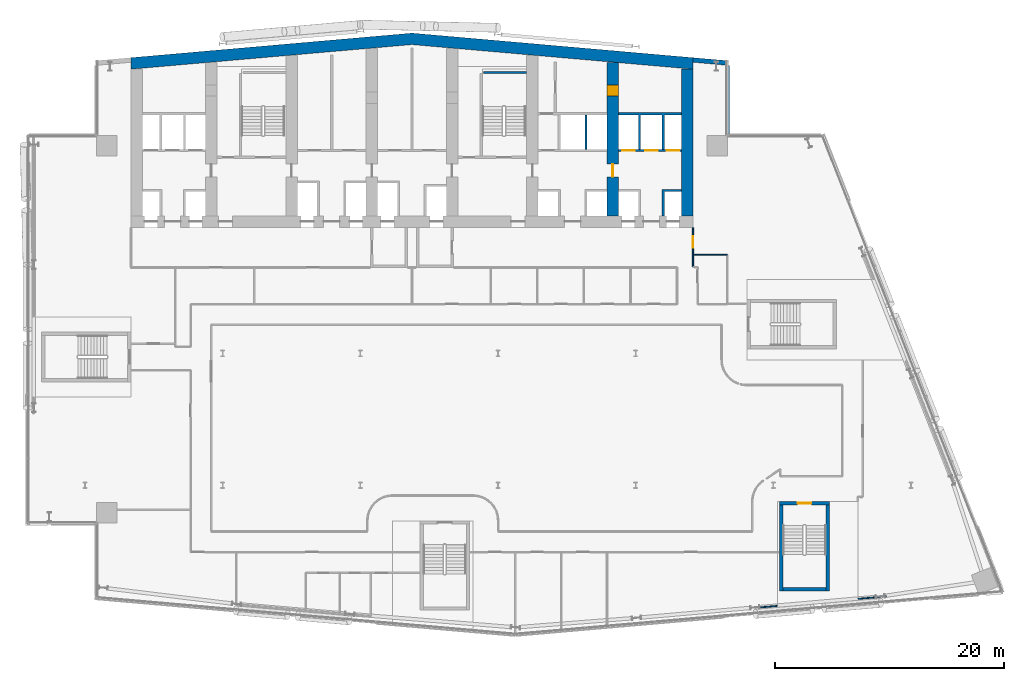
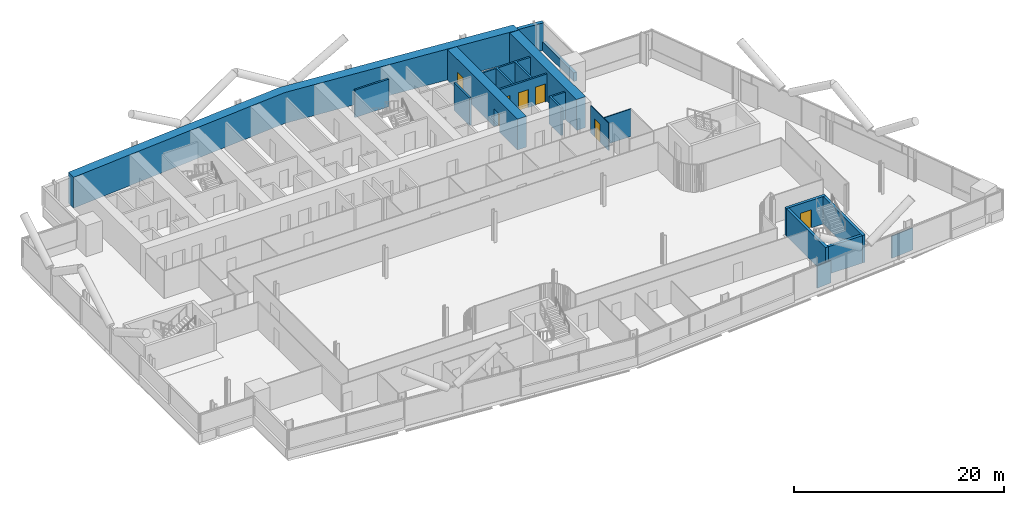
# One storey, part 22 of 31: 18 walls, 7 doors, 7 openings.
"""IFC4 building model written with IfcOpenShell, lengths in metres."""

from ifc_helpers import new_model, si_unit, direction, frame, frame_2d, origin, place, context, subcontext, project, spatial, polyline, rectangle, outline, extrude, material, layer, layer_set, type_object, element, fill, save


model = new_model("IFC4")

# Units and contexts
model_context = context("Model", 3, precision=1e-05, world=origin(), true_north=direction((0.0, 1.0)))
body_context = subcontext(model_context, "Body", "Model", "MODEL_VIEW")
ifc_project = project(units=[si_unit("LENGTHUNIT", "METRE"), si_unit("AREAUNIT", "SQUARE_METRE"), si_unit("VOLUMEUNIT", "CUBIC_METRE"), si_unit("PLANEANGLEUNIT", "RADIAN"), si_unit("MASSUNIT", "GRAM", prefix="KILO")], contexts=[model_context])

# Site, building, storey
site_placement = place(None, origin())
site = spatial("IfcSite", under=ifc_project, at=site_placement, CompositionType="ELEMENT")
building_placement = place(site_placement, origin())
building = spatial("IfcBuilding", under=site, at=building_placement, Name="Wharfspan Tower", CompositionType="ELEMENT")
storey_placement = place(building_placement, frame((0.0, 0.0, 103.899902)))
storey = spatial("IfcBuildingStorey", under=building, at=storey_placement, Name="L23", CompositionType="ELEMENT", Elevation=103.899902)

# Wall, opening, door
ifc_material_1 = material(Name="Gypsum board on steel studs", Category="steel")
ifc_layer_1 = layer(ifc_material_1, 0.100098)
ifc_layer_set_1 = layer_set([ifc_layer_1], Name="Gypsum board on steel studs")
wall_type_1 = type_object("IfcWallType", Name="Compartment wall 100 EI 60", PredefinedType="PARTITIONING", material=ifc_layer_set_1)
wall_1_placement = place(storey_placement, frame((65.0, 30.560059, 0.0), z_axis=(0.0, 0.0, 1.0), x_axis=(0.0, 1.0, 0.0)))
wall_1 = element("IfcWall", 1, at=wall_1_placement, inside=storey, type_object=wall_type_1, Name="Partition L23.w076", PredefinedType="PARTITIONING", context=body_context, shape_type="SweptSolid", body=[
    extrude(rectangle(XDim=3.419922, YDim=0.100098, at=frame_2d((1.709961, 0.0))), origin(), (0.0, 0.0, 1.0), 3.200195),
])
opening_1_placement = place(wall_1_placement, frame((1.659912, 0.0, 0.0)))
opening_1 = element("IfcOpeningElement", 2, at=opening_1_placement, cuts=wall_1, Name="Opening B2-22", PredefinedType="OPENING", context=body_context, shape_type="SweptSolid", body=[
    extrude(rectangle(XDim=1.0, YDim=2.100098, at=frame_2d((0.5, 1.050049))), frame((0.0, 0.060059, 0.0), z_axis=(0.0, -1.0, 0.0), x_axis=(1.0, 0.0, 0.0)), (0.0, 0.0, 1.0), 0.120117),
])
ifc_material_2 = material(Name="Fire-rated timber door leaf in steel frame", Category="steel")
door_type_1 = type_object("IfcDoorType", Name="Door 1000 FD30S Right", OperationType="SINGLE_SWING_RIGHT", PredefinedType="DOOR", material=ifc_material_2)
door_1_placement = place(opening_1_placement, origin())
door_1 = element("IfcDoor", 3, at=door_1_placement, inside=storey, type_object=door_type_1, Name="Door B2-22", OperationType="SINGLE_SWING_RIGHT", OverallHeight=2.100098, OverallWidth=1.0, PredefinedType="DOOR", context=body_context, shape_type="SweptSolid", body=[
    extrude(rectangle(XDim=1.0, YDim=2.100098, at=frame_2d((0.5, 1.050049))), frame((0.0, 0.024902, 0.0), z_axis=(0.0, -1.0, 0.0), x_axis=(1.0, 0.0, 0.0)), (0.0, 0.0, 1.0), 0.050049),
])
fill(opening_1, door_1)

# Walls
wall_2_placement = place(storey_placement, frame((65.0, 31.600098, 0.0), z_axis=(0.0, 0.0, 1.0), x_axis=(1.0, 0.0, 0.0)))
element("IfcWall", 4, at=wall_2_placement, inside=storey, type_object=wall_type_1, Name="Partition L23.w077", PredefinedType="PARTITIONING", context=body_context, shape_type="SweptSolid", body=[
    extrude(rectangle(XDim=3.0, YDim=0.100098, at=frame_2d((1.5, 0.0))), origin(), (0.0, 0.0, 1.0), 3.200195),
])
ifc_material_3 = material(Name="Concrete C70/85", Category="concrete")
ifc_layer_2 = layer(ifc_material_3, 1.0)
ifc_layer_set_2 = layer_set([ifc_layer_2], Name="Concrete C70/85")
wall_type_2 = type_object("IfcWallType", Name="Core wall 1000 C70/85", PredefinedType="SHEAR", material=ifc_layer_set_2)
wall_3_placement = place(storey_placement, origin())
element("IfcWall", 5, at=wall_3_placement, inside=storey, type_object=wall_type_2, Name="Core rear wall L23", PredefinedType="SHEAR", context=body_context, shape_type="SweptSolid", body=[
    extrude(outline(polyline([(16.0, 47.783691), (40.5, 49.927002), (65.0, 47.783691), (65.0, 48.787354), (40.5, 50.930908), (16.0, 48.787354), (16.0, 47.783691)])), origin(), (0.0, 0.0, 1.0), 3.600098),
])

# Wall, openings, doors
wall_4_placement = place(storey_placement, frame((58.0, 35.0, 0.0), z_axis=(0.0, 0.0, 1.0), x_axis=(0.0, 1.0, 0.0)))
wall_4 = element("IfcWall", 6, at=wall_4_placement, inside=storey, type_object=wall_type_2, Name="Core cross wall X7 L23", PredefinedType="SHEAR", context=body_context, shape_type="SweptSolid", body=[
    extrude(rectangle(XDim=13.352295, YDim=1.0, at=frame_2d((6.67627, 0.0))), origin(), (0.0, 0.0, 1.0), 3.600098),
])
opening_2_placement = place(wall_4_placement, frame((10.425537, 0.0, 0.0)))
opening_2 = element("IfcOpeningElement", 7, at=opening_2_placement, cuts=wall_4, Name="Opening CD23.7X", PredefinedType="OPENING", context=body_context, shape_type="SweptSolid", body=[
    extrude(rectangle(XDim=1.0, YDim=2.100098, at=frame_2d((0.5, 1.050049))), frame((0.0, 0.51001, 0.0), z_axis=(0.0, -1.0, 0.0), x_axis=(1.0, 0.0, 0.0)), (0.0, 0.0, 1.0), 1.02002),
])
opening_3_placement = place(wall_4_placement, frame((3.399902, 0.0, 0.0)))
opening_3 = element("IfcOpeningElement", 8, at=opening_3_placement, cuts=wall_4, Name="Opening CC23.7", PredefinedType="OPENING", context=body_context, shape_type="SweptSolid", body=[
    extrude(rectangle(XDim=1.100098, YDim=2.100098, at=frame_2d((0.550049, 1.050049))), frame((0.0, 0.51001, 0.0), z_axis=(0.0, -1.0, 0.0), x_axis=(1.0, 0.0, 0.0)), (0.0, 0.0, 1.0), 1.02002),
])
ifc_material_4 = material(Name="Steel door leaf", Category="steel")
door_type_2 = type_object("IfcDoorType", Name="Core corridor door 1100x2100", OperationType="SINGLE_SWING_LEFT", PredefinedType="DOOR", material=ifc_material_4)
door_2_placement = place(opening_3_placement, origin())
door_2 = element("IfcDoor", 9, at=door_2_placement, inside=storey, type_object=door_type_2, Name="xd:L23:7", OperationType="SINGLE_SWING_LEFT", OverallHeight=2.100098, OverallWidth=1.100098, PredefinedType="DOOR", context=body_context, shape_type="SweptSolid", body=[
    extrude(rectangle(XDim=1.100098, YDim=2.100098, at=frame_2d((0.550049, 1.050049))), frame((0.0, 0.024902, 0.0), z_axis=(0.0, -1.0, 0.0), x_axis=(1.0, 0.0, 0.0)), (0.0, 0.0, 1.0), 0.050049),
])
fill(opening_3, door_2)
door_type_3 = type_object("IfcDoorType", Name="Core room door 1000x2100", OperationType="SINGLE_SWING_LEFT", PredefinedType="DOOR", material=ifc_material_4)
door_3_placement = place(opening_2_placement, origin())
door_3 = element("IfcDoor", 10, at=door_3_placement, inside=storey, type_object=door_type_3, Name="d:L23:7:sx", OperationType="SINGLE_SWING_LEFT", OverallHeight=2.100098, OverallWidth=1.0, PredefinedType="DOOR", context=body_context, shape_type="SweptSolid", body=[
    extrude(rectangle(XDim=1.0, YDim=2.100098, at=frame_2d((0.5, 1.050049))), frame((0.0, 0.499756, 0.0), z_axis=(0.0, -1.0, 0.0), x_axis=(1.0, 0.0, 0.0)), (0.0, 0.0, 1.0), 0.999512),
])
fill(opening_2, door_3)

# Walls
wall_5_placement = place(storey_placement, frame((64.5, 35.0, 0.0), z_axis=(0.0, 0.0, 1.0), x_axis=(0.0, 1.0, 0.0)))
element("IfcWall", 11, at=wall_5_placement, inside=storey, type_object=wall_type_2, Name="Core cross wall EW1 L23", PredefinedType="SHEAR", context=body_context, shape_type="SweptSolid", body=[
    extrude(rectangle(XDim=12.783691, YDim=1.0, at=frame_2d((6.391846, 0.0))), origin(), (0.0, 0.0, 1.0), 3.600098),
])
ifc_material_5 = material(Name="Concrete C30/37", Category="concrete")
ifc_layer_3 = layer(ifc_material_5, 0.199951)
ifc_layer_set_3 = layer_set([ifc_layer_3], Name="Concrete C30/37")
wall_type_3 = type_object("IfcWallType", Name="Lift shaft wall 200", PredefinedType="PARTITIONING", material=ifc_layer_set_3)
wall_6_placement = place(storey_placement, origin())
element("IfcWall", 12, at=wall_6_placement, inside=storey, type_object=wall_type_3, Name="sw:L23:RM6.1", PredefinedType="PARTITIONING", context=body_context, shape_type="SweptSolid", body=[
    extrude(outline(polyline([(55.56665, 40.800049), (55.56665, 43.800049), (55.766602, 43.800049), (55.766602, 40.800049), (55.56665, 40.800049)])), origin(), (0.0, 0.0, 1.0), 3.200195),
])

# Wall, openings, doors
wall_7_placement = place(storey_placement, frame((58.5, 40.699951, 0.0), z_axis=(0.0, 0.0, 1.0), x_axis=(1.0, 0.0, 0.0)))
wall_7 = element("IfcWall", 13, at=wall_7_placement, inside=storey, type_object=wall_type_3, Name="sw:L23:RF7", PredefinedType="PARTITIONING", context=body_context, shape_type="SweptSolid", body=[
    extrude(rectangle(XDim=5.5, YDim=0.199951, at=frame_2d((2.75, 0.0))), origin(), (0.0, 0.0, 1.0), 3.200195),
])
opening_4_placement = place(wall_7_placement, frame((0.31665, 0.0, 0.0)))
opening_4 = element("IfcOpeningElement", 14, at=opening_4_placement, cuts=wall_7, Name="Opening LD.LA8.L23", PredefinedType="OPENING", context=body_context, shape_type="SweptSolid", body=[
    extrude(rectangle(XDim=1.100098, YDim=2.100098, at=frame_2d((0.550049, 1.050049))), frame((0.0, 0.109863, 0.0), z_axis=(0.0, -1.0, 0.0), x_axis=(1.0, 0.0, 0.0)), (0.0, 0.0, 1.0), 0.219971),
])
opening_5_placement = place(wall_7_placement, frame((2.31665, 0.0, 0.0)))
opening_5 = element("IfcOpeningElement", 15, at=opening_5_placement, cuts=wall_7, Name="Opening LD.LA9.L23", PredefinedType="OPENING", context=body_context, shape_type="SweptSolid", body=[
    extrude(rectangle(XDim=1.100098, YDim=2.100098, at=frame_2d((0.550049, 1.050049))), frame((0.0, 0.109863, 0.0), z_axis=(0.0, -1.0, 0.0), x_axis=(1.0, 0.0, 0.0)), (0.0, 0.0, 1.0), 0.219971),
])
opening_6_placement = place(wall_7_placement, frame((4.199951, 0.0, 0.0)))
opening_6 = element("IfcOpeningElement", 16, at=opening_6_placement, cuts=wall_7, Name="Opening LD.LA10.L23", PredefinedType="OPENING", context=body_context, shape_type="SweptSolid", body=[
    extrude(rectangle(XDim=1.100098, YDim=2.100098, at=frame_2d((0.550049, 1.050049))), frame((0.0, 0.109863, 0.0), z_axis=(0.0, -1.0, 0.0), x_axis=(1.0, 0.0, 0.0)), (0.0, 0.0, 1.0), 0.219971),
])
ifc_material_6 = material(Name="Stainless steel", Category="steel")
door_type_4 = type_object("IfcDoorType", Name="Lift landing door 1100x2100", OperationType="DOUBLE_DOOR_SLIDING", PredefinedType="DOOR", material=ifc_material_6)
door_4_placement = place(opening_4_placement, origin())
door_4 = element("IfcDoor", 17, at=door_4_placement, inside=storey, type_object=door_type_4, Name="Landing door LA8 L23", OperationType="DOUBLE_DOOR_SLIDING", OverallHeight=2.100098, OverallWidth=1.100098, PredefinedType="DOOR", context=body_context, shape_type="SweptSolid", body=[
    extrude(rectangle(XDim=1.100098, YDim=2.100098, at=frame_2d((0.550049, 1.050049))), frame((0.0, 0.024902, 0.0), z_axis=(0.0, -1.0, 0.0), x_axis=(1.0, 0.0, 0.0)), (0.0, 0.0, 1.0), 0.050049),
])
fill(opening_4, door_4)
door_5_placement = place(opening_5_placement, origin())
door_5 = element("IfcDoor", 18, at=door_5_placement, inside=storey, type_object=door_type_4, Name="Landing door LA9 L23", OperationType="DOUBLE_DOOR_SLIDING", OverallHeight=2.100098, OverallWidth=1.100098, PredefinedType="DOOR", context=body_context, shape_type="SweptSolid", body=[
    extrude(rectangle(XDim=1.100098, YDim=2.100098, at=frame_2d((0.550049, 1.050049))), frame((0.0, 0.024902, 0.0), z_axis=(0.0, -1.0, 0.0), x_axis=(1.0, 0.0, 0.0)), (0.0, 0.0, 1.0), 0.050049),
])
fill(opening_5, door_5)
door_6_placement = place(opening_6_placement, origin())
door_6 = element("IfcDoor", 19, at=door_6_placement, inside=storey, type_object=door_type_4, Name="Landing door LA10 L23", OperationType="DOUBLE_DOOR_SLIDING", OverallHeight=2.100098, OverallWidth=1.100098, PredefinedType="DOOR", context=body_context, shape_type="SweptSolid", body=[
    extrude(rectangle(XDim=1.100098, YDim=2.100098, at=frame_2d((0.550049, 1.050049))), frame((0.0, 0.024902, 0.0), z_axis=(0.0, -1.0, 0.0), x_axis=(1.0, 0.0, 0.0)), (0.0, 0.0, 1.0), 0.050049),
])
fill(opening_6, door_6)

# Walls
wall_8_placement = place(storey_placement, origin())
element("IfcWall", 20, at=wall_8_placement, inside=storey, type_object=wall_type_3, Name="sw:L23:FM7.1", PredefinedType="PARTITIONING", context=body_context, shape_type="SweptSolid", body=[
    extrude(outline(polyline([(62.300049, 37.300049), (62.5, 37.300049), (64.0, 37.300049), (64.0, 37.100098), (62.5, 37.100098), (62.5, 35.0), (62.300049, 35.0), (62.300049, 37.300049)])), origin(), (0.0, 0.0, 1.0), 3.200195),
])
wall_9_placement = place(storey_placement, origin())
element("IfcWall", 21, at=wall_9_placement, inside=storey, type_object=wall_type_3, Name="sw:L23:RM7.0", PredefinedType="PARTITIONING", context=body_context, shape_type="SweptSolid", body=[
    extrude(outline(polyline([(60.43335, 40.800049), (60.233398, 40.800049), (60.233398, 43.800049), (58.5, 43.800049), (58.5, 44.0), (64.0, 44.0), (64.0, 43.800049), (62.5, 43.800049), (62.5, 40.800049), (62.300049, 40.800049), (62.300049, 43.800049), (60.43335, 43.800049), (60.43335, 40.800049)])), origin(), (0.0, 0.0, 1.0), 3.200195),
])
ifc_layer_4 = layer(ifc_material_1, 0.100098)
ifc_layer_set_4 = layer_set([ifc_layer_4], Name="Gypsum board on steel studs")
wall_type_4 = type_object("IfcWallType", Name="Partition 100", PredefinedType="PARTITIONING", material=ifc_layer_set_4)
wall_10_placement = place(storey_placement, frame((70.75, 0.850098, 0.0), z_axis=(0.0, 0.0, 1.0), x_axis=(0.995996, 0.089437, 0.0)))
element("IfcWall", 22, at=wall_10_placement, inside=storey, type_object=wall_type_4, Name="Partition L23.w111", PredefinedType="PARTITIONING", context=body_context, shape_type="SweptSolid", body=[
    extrude(rectangle(XDim=1.602295, YDim=0.100098, at=frame_2d((0.80127, 0.0))), origin(), (0.0, 0.0, 1.0), 2.580078),
])
wall_11_placement = place(storey_placement, frame((79.385986, 1.606689, 0.0), z_axis=(0.0, 0.0, 1.0), x_axis=(0.996209, 0.086973, 0.0)))
element("IfcWall", 23, at=wall_11_placement, inside=storey, type_object=wall_type_4, Name="Partition L23.w120", PredefinedType="PARTITIONING", context=body_context, shape_type="SweptSolid", body=[
    extrude(rectangle(XDim=2.453369, YDim=0.100098, at=frame_2d((1.226562, 0.0))), origin(), (0.0, 0.0, 1.0), 2.580078),
])
ifc_material_7 = material(Name="Concrete C40/50", Category="concrete")
ifc_layer_5 = layer(ifc_material_7, 0.350098)
ifc_layer_set_5 = layer_set([ifc_layer_5], Name="Concrete C40/50")
wall_type_5 = type_object("IfcWallType", Name="SPANDREL EXPOSED CONCRETE 350", PredefinedType="SOLIDWALL", material=ifc_layer_set_5)
wall_12_placement = place(storey_placement, frame((68.004883, 42.179932, 0.0), z_axis=(0.0, 0.0, 1.0), x_axis=(0.0, 1.0, 0.0)))
element("IfcWall", 24, at=wall_12_placement, inside=storey, type_object=wall_type_5, Name="Spandrel upstand L23 NRE-V", PredefinedType="SOLIDWALL", context=body_context, shape_type="SweptSolid", body=[
    extrude(rectangle(XDim=5.946533, YDim=0.350098, at=frame_2d((2.973145, 0.0))), origin(), (0.0, 0.0, 1.0), 1.0),
])

# Wall, opening, door
ifc_layer_6 = layer(ifc_material_7, 0.300049)
ifc_layer_set_6 = layer_set([ifc_layer_6], Name="Concrete C40/50")
wall_type_6 = type_object("IfcWallType", Name="Stair core wall 300", PredefinedType="SHEAR", material=ifc_layer_set_6)
wall_13_placement = place(storey_placement, frame((72.541016, 9.94458, 0.0), z_axis=(0.0, 0.0, 1.0), x_axis=(1.0, 0.0, 0.0)))
wall_13 = element("IfcWall", 25, at=wall_13_placement, inside=storey, type_object=wall_type_6, Name="ST5 stair enclosure wall L23", PredefinedType="SHEAR", context=body_context, shape_type="SweptSolid", body=[
    extrude(rectangle(XDim=4.350098, YDim=0.300049, at=frame_2d((2.175049, 0.0))), origin(), (0.0, 0.0, 1.0), 3.200195),
])
opening_7_placement = place(wall_13_placement, frame((1.574951, 0.0, 0.0)))
opening_7 = element("IfcOpeningElement", 26, at=opening_7_placement, cuts=wall_13, Name="Opening SD5.L23", PredefinedType="OPENING", context=body_context, shape_type="SweptSolid", body=[
    extrude(rectangle(XDim=1.199951, YDim=2.100098, at=frame_2d((0.600098, 1.050049))), frame((0.0, 0.159912, 0.0), z_axis=(0.0, -1.0, 0.0), x_axis=(1.0, 0.0, 0.0)), (0.0, 0.0, 1.0), 0.320068),
])
door_type_5 = type_object("IfcDoorType", Name="Stair door 1200x2100", OperationType="SINGLE_SWING_LEFT", PredefinedType="DOOR", material=ifc_material_4)
door_7_placement = place(opening_7_placement, origin())
door_7 = element("IfcDoor", 27, at=door_7_placement, inside=storey, type_object=door_type_5, Name="sd:L23:ST5z2", OperationType="SINGLE_SWING_RIGHT", OverallHeight=2.100098, OverallWidth=1.199951, PredefinedType="DOOR", context=body_context, shape_type="SweptSolid", body=[
    extrude(rectangle(XDim=1.199951, YDim=2.100098, at=frame_2d((0.600098, 1.050049))), frame((0.0, 0.024902, 0.0), z_axis=(0.0, -1.0, 0.0), x_axis=(1.0, 0.0, 0.0)), (0.0, 0.0, 1.0), 0.050049),
])
fill(opening_7, door_7)

# Walls
for number, where, z_axis, x_axis, name in (
    (28, (72.690918, 2.294678, 0.0), (0.0, 0.0, 1.0), (0.0, 1.0, 0.0), "ST5 stair enclosure wall L23"),
    (29, (76.740967, 2.294678, 0.0), (0.0, 0.0, 1.0), (0.0, 1.0, 0.0), "ST5 stair enclosure wall L23"),
):
    element("IfcWall", number, at=place(storey_placement, frame(where, z_axis=z_axis, x_axis=x_axis)), inside=storey, type_object=wall_type_6, Name=name, PredefinedType="SHEAR", context=body_context, shape_type="SweptSolid", body=[
        extrude(rectangle(XDim=7.5, YDim=0.300049, at=frame_2d((3.75, 0.0))), origin(), (0.0, 0.0, 1.0), 3.200195),
    ])
wall_14_placement = place(storey_placement, frame((72.841064, 2.44458, 0.0), z_axis=(0.0, 0.0, 1.0), x_axis=(1.0, 0.0, 0.0)))
element("IfcWall", 30, at=wall_14_placement, inside=storey, type_object=wall_type_6, Name="ST5 stair enclosure wall L23", PredefinedType="SHEAR", context=body_context, shape_type="SweptSolid", body=[
    extrude(rectangle(XDim=3.75, YDim=0.300049, at=frame_2d((1.875, 0.0))), origin(), (0.0, 0.0, 1.0), 3.200195),
])
ifc_layer_7 = layer(ifc_material_7, 0.199951)
ifc_layer_set_7 = layer_set([ifc_layer_7], Name="Concrete C40/50")
wall_type_7 = type_object("IfcWallType", Name="Stair shaft wall 200", PredefinedType="SHEAR", material=ifc_layer_set_7)
wall_15_placement = place(storey_placement, frame((46.75, 47.5, 0.0), z_axis=(0.0, 0.0, 1.0), x_axis=(1.0, 0.0, 0.0)))
element("IfcWall", 31, at=wall_15_placement, inside=storey, type_object=wall_type_7, Name="ST2 stair enclosure wall L23", PredefinedType="SHEAR", context=body_context, shape_type="SweptSolid", body=[
    extrude(rectangle(XDim=3.75, YDim=0.199951, at=frame_2d((1.875, 0.0))), origin(), (0.0, 0.0, 1.0), 3.200195),
])
ifc_layer_8 = layer(ifc_material_7, 0.399902)
ifc_layer_set_8 = layer_set([ifc_layer_8], Name="Concrete C40/50")
wall_type_8 = type_object("IfcWallType", Name="WALL EXPOSED CONCRETE 400", PredefinedType="SOLIDWALL", material=ifc_layer_set_8)
wall_16_placement = place(storey_placement, frame((67.982666, 48.325684, 0.0), z_axis=(0.0, 0.0, 1.0), x_axis=(-0.996194, 0.087168, 0.0)))
element("IfcWall", 32, at=wall_16_placement, inside=storey, type_object=wall_type_8, Name="Rear wall N2", PredefinedType="SOLIDWALL", context=body_context, shape_type="SweptSolid", body=[
    extrude(rectangle(XDim=2.994141, YDim=0.399902, at=frame_2d((1.49707, 0.0))), origin(), (0.0, 0.0, 1.0), 3.200195),
])

save(model, "model.ifc")
